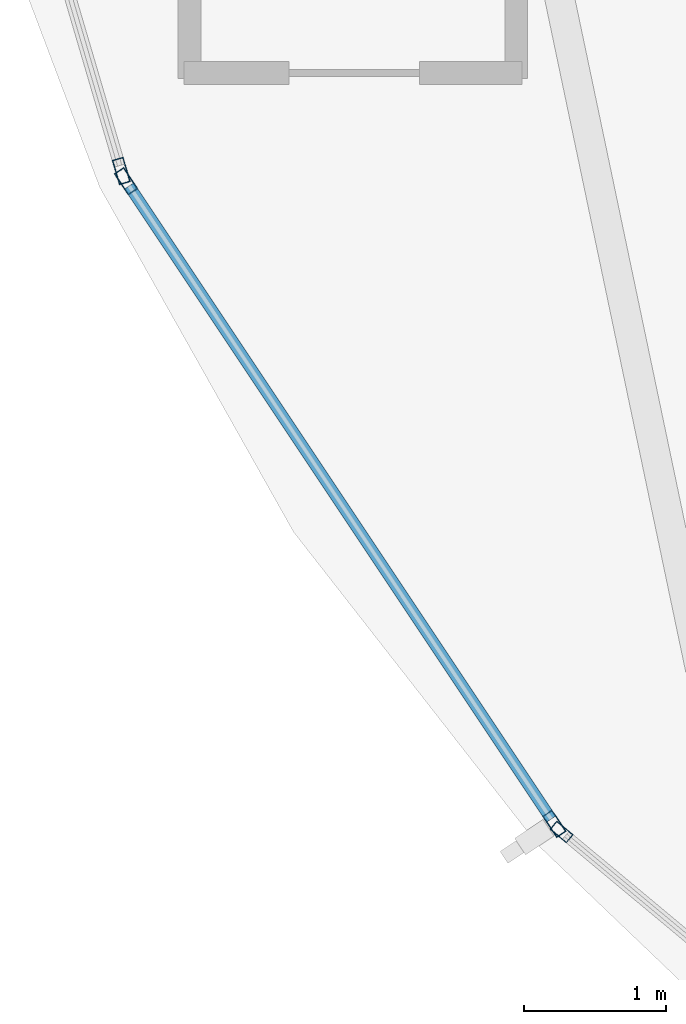
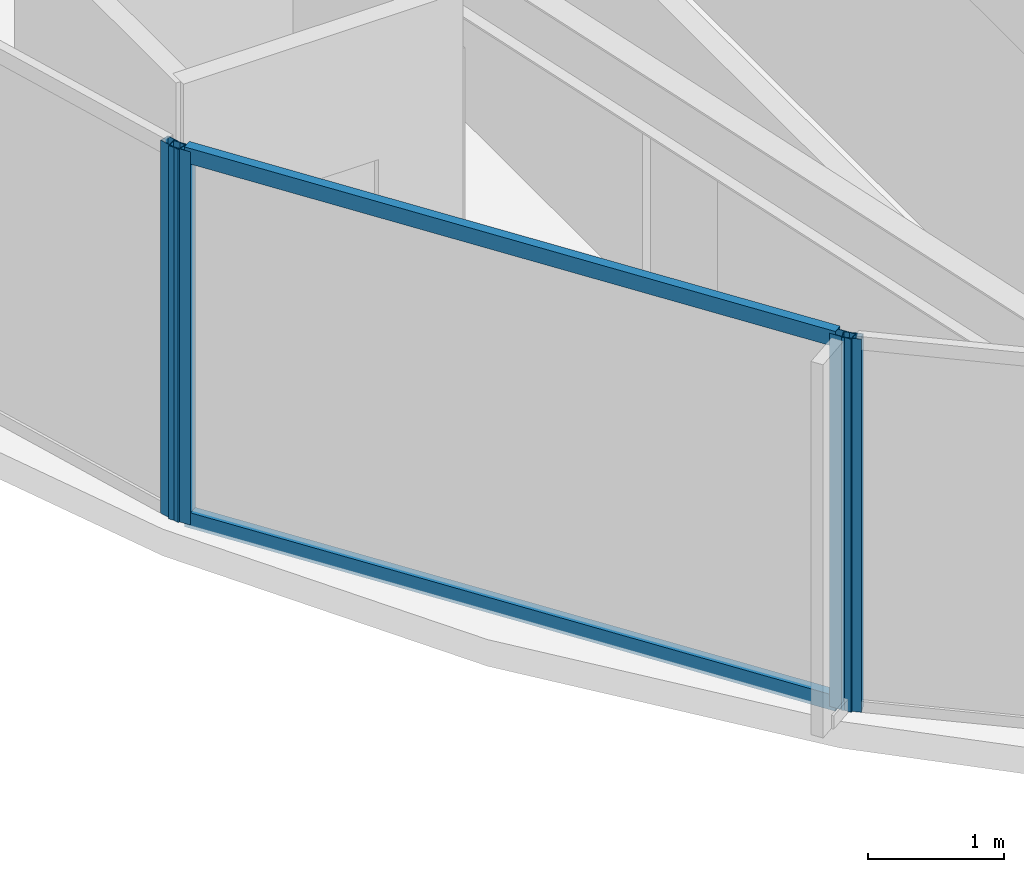
# One storey, part 3 of 29: 6 members, 3 elements without a shape of their own.
"""IFC4 building model written with IfcOpenShell, lengths in metres."""

from ifc_helpers import new_model, si_unit, direction, frame, origin, origin_2d, place, context, subcontext, project, spatial, hollow_rectangle, extrude, material, layer, layer_set, material_profile, profile_set, type_object, element, aggregate, save


model = new_model("IFC4")

# Units and contexts
model_context = context("Model", 3, precision=1e-05, world=origin(), true_north=direction((0.0, 1.0)))
body_context = subcontext(model_context, "Body", "Model", "MODEL_VIEW")
ifc_project = project(units=[si_unit("LENGTHUNIT", "METRE"), si_unit("AREAUNIT", "SQUARE_METRE"), si_unit("VOLUMEUNIT", "CUBIC_METRE"), si_unit("PLANEANGLEUNIT", "RADIAN"), si_unit("MASSUNIT", "GRAM", prefix="KILO")], contexts=[model_context])

# Site, building, storey
site_placement = place(None, origin())
site = spatial("IfcSite", under=ifc_project, at=site_placement, CompositionType="ELEMENT")
building_placement = place(site_placement, origin())
building = spatial("IfcBuilding", under=site, at=building_placement, Name="Kazevale Care Tower and Concert Hall", CompositionType="ELEMENT")
storey_placement = place(building_placement, frame((0.0, 0.0, 199.199951171875)))
storey = spatial("IfcBuildingStorey", under=building, at=storey_placement, Name="L52", CompositionType="ELEMENT", Elevation=199.199951171875)

# Curtain wall, members
ifc_material_1 = material(Name="Aluminium 6063-T6 and Low-E Glass", Category="aluminium")
ifc_layer_1 = layer(ifc_material_1, 0.179931640625)
ifc_layer_set_1 = layer_set([ifc_layer_1], Name="Aluminium 6063-T6 and Low-E Glass")
curtain_wall_type_1 = type_object("IfcCurtainWallType", Name="Waist & Upper Residential Curtain Wall CW-4", PredefinedType="NOTDEFINED", material=ifc_layer_set_1)
curtain_wall_1_placement = place(storey_placement, origin())
curtain_wall_1 = element("IfcCurtainWall", 1, at=curtain_wall_1_placement, inside=storey, type_object=curtain_wall_type_1, Name="cw:L52:f11", PredefinedType="NOTDEFINED")
ifc_material_2 = material(Name="Aluminium 6063-T6", Category="aluminium")
ifc_material_profile_1 = material_profile(ifc_material_2, hollow_rectangle(XDim=0.080078125, YDim=0.179931640625, WallThickness=0.0048828125, at=origin_2d()), Name="ALU80x180x5")
ifc_profile_set_1 = profile_set([ifc_material_profile_1], Name="Aluminium 6063-T6")
member_type_1 = type_object("IfcMemberType", Name="CW-4 Mullion ALU80x180x5", PredefinedType="MULLION", material=ifc_profile_set_1)
member_1_placement = place(storey_placement, frame((18.185791015625, 25.26318359375, 0.0), z_axis=(0.0, 0.0, 1.0), x_axis=(-0.832106058512, -0.554616540853, 0.0)))
member_1 = element("IfcMember", 2, at=member_1_placement, type_object=member_type_1, Name="CW-4 mullion 1", PredefinedType="MULLION", context=body_context, shape_type="SweptSolid", body=[
    extrude(hollow_rectangle(XDim=0.080078125, YDim=0.179931640625, WallThickness=0.0048828125, at=origin_2d()), origin(), (0.0, 0.0, 1.0), 3.360107421875),
])
member_2_placement = place(storey_placement, frame((15.170166015625, 29.78759765625, 0.0), z_axis=(0.0, 0.0, 1.0), x_axis=(-0.832106058512, -0.554616540853, 0.0)))
member_2 = element("IfcMember", 3, at=member_2_placement, type_object=member_type_1, Name="CW-4 mullion 2", PredefinedType="MULLION", context=body_context, shape_type="SweptSolid", body=[
    extrude(hollow_rectangle(XDim=0.080078125, YDim=0.179931640625, WallThickness=0.0048828125, at=origin_2d()), origin(), (0.0, 0.0, 1.0), 3.360107421875),
])

# Curtain wall, member
curtain_wall_2_placement = place(storey_placement, origin())
curtain_wall_2 = element("IfcCurtainWall", 4, at=curtain_wall_2_placement, inside=storey, type_object=curtain_wall_type_1, Name="cw:L52:f12", PredefinedType="NOTDEFINED")
member_3_placement = place(storey_placement, frame((15.13671875, 29.859375, 0.0), z_axis=(0.0, 0.0, 1.0), x_axis=(-0.959385539982, -0.282098184457, 0.0)))
member_3 = element("IfcMember", 5, at=member_3_placement, type_object=member_type_1, Name="CW-4 mullion 1", PredefinedType="MULLION", context=body_context, shape_type="SweptSolid", body=[
    extrude(hollow_rectangle(XDim=0.080078125, YDim=0.179931640625, WallThickness=0.0048828125, at=origin_2d()), origin(), (0.0, 0.0, 1.0), 3.360107421875),
])
aggregate(curtain_wall_2, [member_3])

# Member
ifc_material_profile_2 = material_profile(ifc_material_2, hollow_rectangle(XDim=0.080078125, YDim=0.139892578125, WallThickness=0.00390625, at=origin_2d()), Name="ALU80x140x4")
ifc_profile_set_2 = profile_set([ifc_material_profile_2], Name="Aluminium 6063-T6")
member_type_2 = type_object("IfcMemberType", Name="CW-4 Transom ALU80x140x4", PredefinedType="USERDEFINED", material=ifc_profile_set_2)
member_4_placement = place(storey_placement, frame((18.16357421875, 25.296630859375, 0.0400390625), z_axis=(-0.554616059735, 0.832106379187, 0.0), x_axis=(-0.832106379187, -0.554616059735, 0.0)))
member_4 = element("IfcMember", 6, at=member_4_placement, type_object=member_type_2, Name="CW-4 transom 1.1", ObjectType="TRANSOM", PredefinedType="USERDEFINED", context=body_context, shape_type="SweptSolid", body=[
    extrude(hollow_rectangle(XDim=0.080078125, YDim=0.139892578125, WallThickness=0.00390625, at=origin_2d()), origin(), (0.0, 0.0, 1.0), 5.357177734375),
])

member_5_placement = place(storey_placement, frame((18.16357421875, 25.296630859375, 3.320068359375), z_axis=(-0.554616059735, 0.832106379187, 0.0), x_axis=(-0.832106379187, -0.554616059735, 0.0)))
member_5 = element("IfcMember", 7, at=member_5_placement, type_object=member_type_2, Name="CW-4 transom 1.2", ObjectType="TRANSOM", PredefinedType="USERDEFINED", context=body_context, shape_type="SweptSolid", body=[
    extrude(hollow_rectangle(XDim=0.080078125, YDim=0.139892578125, WallThickness=0.00390625, at=origin_2d()), origin(), (0.0, 0.0, 1.0), 5.357177734375),
])

aggregate(curtain_wall_1, [member_1, member_2, member_4, member_5])

# Curtain wall, member
ifc_layer_2 = layer(ifc_material_1, 0.179931640625)
ifc_layer_set_2 = layer_set([ifc_layer_2], Name="Aluminium 6063-T6 and Low-E Glass")
curtain_wall_type_2 = type_object("IfcCurtainWallType", Name="Sheltered Concave Balcony Curtain Wall CW-5", PredefinedType="NOTDEFINED", material=ifc_layer_set_2)
curtain_wall_3_placement = place(storey_placement, origin())
curtain_wall_3 = element("IfcCurtainWall", 8, at=curtain_wall_3_placement, inside=storey, type_object=curtain_wall_type_2, Name="cw:L52:f10", PredefinedType="NOTDEFINED")
ifc_material_profile_3 = material_profile(ifc_material_2, hollow_rectangle(XDim=0.074951171875, YDim=0.14990234375, WallThickness=0.00390625, at=origin_2d()), Name="ALU75x150x4")
ifc_profile_set_3 = profile_set([ifc_material_profile_3], Name="Aluminium 6063-T6")
member_type_3 = type_object("IfcMemberType", Name="CW-5 Mullion ALU75x150x4", PredefinedType="MULLION", material=ifc_profile_set_3)
member_6_placement = place(storey_placement, frame((18.23681640625, 25.2060546875, 0.0), z_axis=(0.0, 0.0, 1.0), x_axis=(-0.639961217204, -0.768407210062, 0.0)))
member_6 = element("IfcMember", 9, at=member_6_placement, type_object=member_type_3, Name="CW-5 mullion 2", PredefinedType="MULLION", context=body_context, shape_type="SweptSolid", body=[
    extrude(hollow_rectangle(XDim=0.074951171875, YDim=0.14990234375, WallThickness=0.00390625, at=origin_2d()), origin(), (0.0, 0.0, 1.0), 3.360107421875),
])
aggregate(curtain_wall_3, [member_6])

save(model, "model.ifc")
